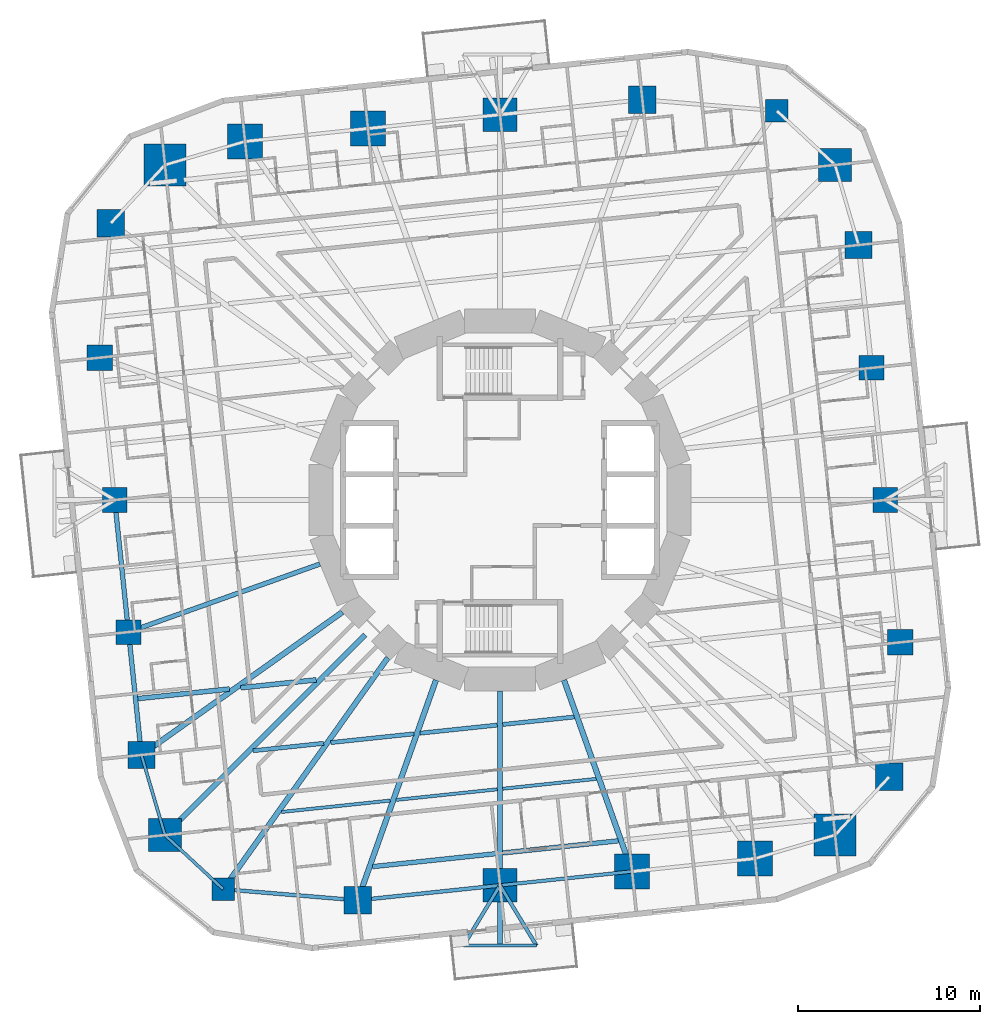
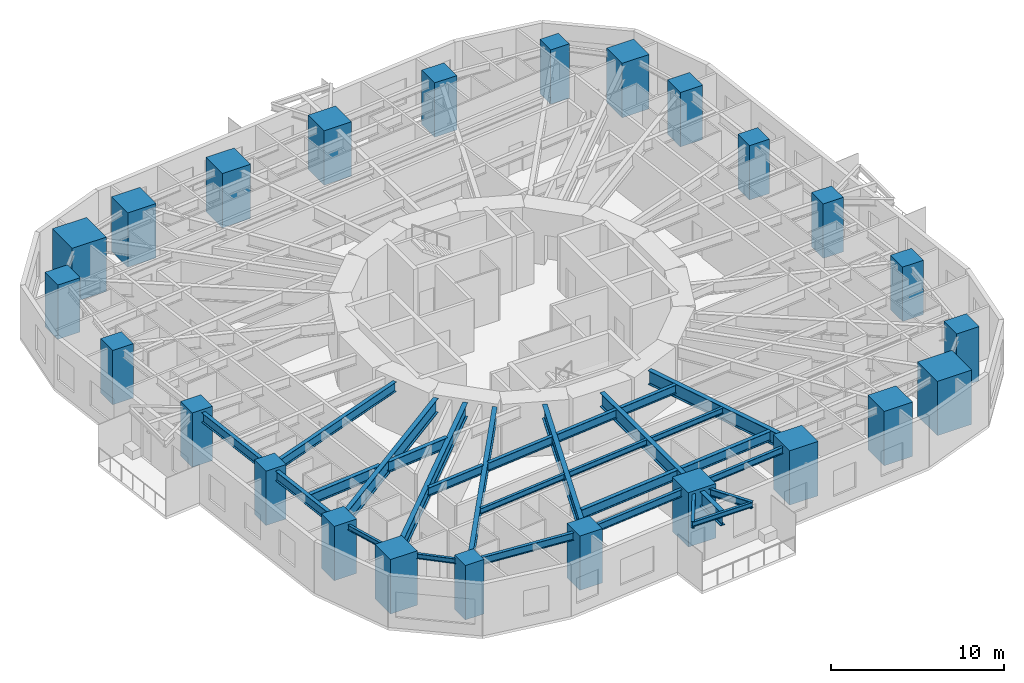
# One storey, part 1 of 15: 28 beams, 24 columns.
"""IFC4 building model written with IfcOpenShell, lengths in metres."""

from ifc_helpers import new_model, si_unit, direction, frame, origin, origin_2d, place, context, subcontext, project, spatial, rectangle, i_section, extrude, material, material_profile, profile_set, type_object, element, save


model = new_model("IFC4")

# Units and contexts
model_context = context("Model", 3, precision=1e-05, world=origin(), true_north=direction((0.0, 1.0)))
body_context = subcontext(model_context, "Body", "Model", "MODEL_VIEW")
ifc_project = project(units=[si_unit("LENGTHUNIT", "METRE"), si_unit("AREAUNIT", "SQUARE_METRE"), si_unit("VOLUMEUNIT", "CUBIC_METRE"), si_unit("PLANEANGLEUNIT", "RADIAN"), si_unit("MASSUNIT", "GRAM", prefix="KILO")], contexts=[model_context])

# Site, building, storey
site_placement = place(None, origin())
site = spatial("IfcSite", under=ifc_project, at=site_placement, CompositionType="ELEMENT")
building_placement = place(site_placement, origin())
building = spatial("IfcBuilding", under=site, at=building_placement, Name="Nakasero Lantern House", CompositionType="ELEMENT")
storey_placement = place(building_placement, frame((0.0, 0.0, 72.050048828125)))
storey = spatial("IfcBuildingStorey", under=building, at=storey_placement, Name="L17", CompositionType="ELEMENT", Elevation=72.050048828125)

# Columns
ifc_material_1 = material(Name="Concrete C50/60", Category="concrete")
ifc_material_profile_1 = material_profile(ifc_material_1, rectangle(XDim=1.800048828125, YDim=1.800048828125, at=origin_2d()), Name="RC 1800x1800")
ifc_profile_set_1 = profile_set([ifc_material_profile_1], Name="Concrete C50/60")
column_type_1 = type_object("IfcColumnType", Name="Mega column RC 1800x1800 C50/60", PredefinedType="COLUMN", material=ifc_profile_set_1)
for number, where, z_axis, x_axis, name in (
    (1, (18.359375, 18.359375, 0.0), (0.0, 0.0, 1.0), (1.0, 0.0, 0.0), "Column B2-C06 L17"),
    (2, (-18.359375, -18.359375, 0.0), (0.0, 0.0, 1.0), (1.0, 0.0, 0.0), "Column B2-C18 L17"),
):
    element("IfcColumn", number, at=place(storey_placement, frame(where, z_axis=z_axis, x_axis=x_axis)), inside=storey, type_object=column_type_1, Name=name, PredefinedType="COLUMN", context=body_context, shape_type="SweptSolid", body=[
        extrude(rectangle(XDim=1.800048828125, YDim=1.800048828125, at=origin_2d()), origin(), (0.0, 0.0, 1.0), 3.849853515625),
    ])
ifc_material_2 = material(Name="Concrete C50/60", Category="concrete")
ifc_material_profile_2 = material_profile(ifc_material_2, rectangle(XDim=2.300048828125, YDim=2.300048828125, at=origin_2d()), Name="RC 2300x2300")
ifc_profile_set_2 = profile_set([ifc_material_profile_2], Name="Concrete C50/60")
column_type_2 = type_object("IfcColumnType", Name="Mega column RC 2300x2300 C50/60", PredefinedType="COLUMN", material=ifc_profile_set_2)
for number, where, z_axis, x_axis, name in (
    (3, (-18.359375, 18.359375, 0.0), (0.0, 0.0, 1.0), (1.0, 0.0, 0.0), "Column B2-C12 L17"),
    (4, (18.359375, -18.359375, 0.0), (0.0, 0.0, 1.0), (1.0, 0.0, 0.0), "Column B2-C24 L17"),
):
    element("IfcColumn", number, at=place(storey_placement, frame(where, z_axis=z_axis, x_axis=x_axis)), inside=storey, type_object=column_type_2, Name=name, PredefinedType="COLUMN", context=body_context, shape_type="SweptSolid", body=[
        extrude(rectangle(XDim=2.300048828125, YDim=2.300048828125, at=origin_2d()), origin(), (0.0, 0.0, 1.0), 3.849853515625),
    ])
ifc_material_3 = material(Name="Concrete C50/60", Category="concrete")
ifc_material_profile_3 = material_profile(ifc_material_3, rectangle(XDim=1.25, YDim=1.25, at=origin_2d()), Name="RC 1250x1250")
ifc_profile_set_3 = profile_set([ifc_material_profile_3], Name="Concrete C50/60")
column_type_3 = type_object("IfcColumnType", Name="Ring column RC 1250x1250 C50/60", PredefinedType="COLUMN", material=ifc_profile_set_3)
for number, where, z_axis, x_axis, name in (
    (5, (15.16650390625, 21.327880859375, 0.0), (0.0, 0.0, 1.0), (1.0, 0.0, 0.0), "Column B2-C07 L17"),
    (6, (-15.16650390625, -21.327880859375, 0.0), (0.0, 0.0, 1.0), (1.0, 0.0, 0.0), "Column B2-C19 L17"),
):
    element("IfcColumn", number, at=place(storey_placement, frame(where, z_axis=z_axis, x_axis=x_axis)), inside=storey, type_object=column_type_3, Name=name, PredefinedType="COLUMN", context=body_context, shape_type="SweptSolid", body=[
        extrude(rectangle(XDim=1.25, YDim=1.25, at=origin_2d()), origin(), (0.0, 0.0, 1.0), 3.849853515625),
    ])
ifc_material_4 = material(Name="Concrete C50/60", Category="concrete")
ifc_material_profile_4 = material_profile(ifc_material_4, rectangle(XDim=1.35009765625, YDim=1.35009765625, at=origin_2d()), Name="RC 1350x1350")
ifc_profile_set_4 = profile_set([ifc_material_profile_4], Name="Concrete C50/60")
column_type_4 = type_object("IfcColumnType", Name="Ring column RC 1350x1350 C50/60", PredefinedType="COLUMN", material=ifc_profile_set_4)
for number, where, z_axis, x_axis, name in (
    (7, (21.11572265625, 0.0, 0.0), (0.0, 0.0, 1.0), (1.0, 0.0, 0.0), "Column B2-C03 L17"),
    (8, (20.35498046875, 7.2373046875, 0.0), (0.0, 0.0, 1.0), (1.0, 0.0, 0.0), "Column B2-C04 L17"),
    (9, (-21.11572265625, 0.0, 0.0), (0.0, 0.0, 1.0), (1.0, 0.0, 0.0), "Column B2-C15 L17"),
    (10, (-20.35498046875, -7.2373046875, 0.0), (0.0, 0.0, 1.0), (1.0, 0.0, 0.0), "Column B2-C16 L17"),
):
    element("IfcColumn", number, at=place(storey_placement, frame(where, z_axis=z_axis, x_axis=x_axis)), inside=storey, type_object=column_type_4, Name=name, PredefinedType="COLUMN", context=body_context, shape_type="SweptSolid", body=[
        extrude(rectangle(XDim=1.35009765625, YDim=1.35009765625, at=origin_2d()), origin(), (0.0, 0.0, 1.0), 3.849853515625),
    ])
ifc_material_5 = material(Name="Concrete C50/60", Category="concrete")
ifc_material_profile_5 = material_profile(ifc_material_5, rectangle(XDim=1.39990234375, YDim=1.39990234375, at=origin_2d()), Name="RC 1400x1400")
ifc_profile_set_5 = profile_set([ifc_material_profile_5], Name="Concrete C50/60")
column_type_5 = type_object("IfcColumnType", Name="Ring column RC 1400x1400 C50/60", PredefinedType="COLUMN", material=ifc_profile_set_5)
for number, where, z_axis, x_axis, name in (
    (11, (21.935302734375, -7.79931640625, 0.0), (0.0, 0.0, 1.0), (1.0, 0.0, 0.0), "Column B2-C02 L17"),
    (12, (-21.935302734375, 7.79931640625, 0.0), (0.0, 0.0, 1.0), (1.0, 0.0, 0.0), "Column B2-C14 L17"),
):
    element("IfcColumn", number, at=place(storey_placement, frame(where, z_axis=z_axis, x_axis=x_axis)), inside=storey, type_object=column_type_5, Name=name, PredefinedType="COLUMN", context=body_context, shape_type="SweptSolid", body=[
        extrude(rectangle(XDim=1.39990234375, YDim=1.39990234375, at=origin_2d()), origin(), (0.0, 0.0, 1.0), 3.849853515625),
    ])
ifc_material_6 = material(Name="Concrete C50/60", Category="concrete")
ifc_material_profile_6 = material_profile(ifc_material_6, rectangle(XDim=1.5, YDim=1.5, at=origin_2d()), Name="RC 1500x1500")
ifc_profile_set_6 = profile_set([ifc_material_profile_6], Name="Concrete C50/60")
column_type_6 = type_object("IfcColumnType", Name="Ring column RC 1500x1500 C50/60", PredefinedType="COLUMN", material=ifc_profile_set_6)
for number, where, z_axis, x_axis, name in (
    (13, (21.327880859375, -15.16650390625, 0.0), (0.0, 0.0, 1.0), (1.0, 0.0, 0.0), "Column B2-C01 L17"),
    (14, (19.647216796875, 13.971435546875, 0.0), (0.0, 0.0, 1.0), (1.0, 0.0, 0.0), "Column B2-C05 L17"),
    (15, (7.79931640625, 21.935302734375, 0.0), (0.0, 0.0, 1.0), (1.0, 0.0, 0.0), "Column B2-C08 L17"),
    (16, (-21.327880859375, 15.16650390625, 0.0), (0.0, 0.0, 1.0), (1.0, 0.0, 0.0), "Column B2-C13 L17"),
    (17, (-19.647216796875, -13.971435546875, 0.0), (0.0, 0.0, 1.0), (1.0, 0.0, 0.0), "Column B2-C17 L17"),
    (18, (-7.79931640625, -21.935302734375, 0.0), (0.0, 0.0, 1.0), (1.0, 0.0, 0.0), "Column B2-C20 L17"),
):
    element("IfcColumn", number, at=place(storey_placement, frame(where, z_axis=z_axis, x_axis=x_axis)), inside=storey, type_object=column_type_6, Name=name, PredefinedType="COLUMN", context=body_context, shape_type="SweptSolid", body=[
        extrude(rectangle(XDim=1.5, YDim=1.5, at=origin_2d()), origin(), (0.0, 0.0, 1.0), 3.849853515625),
    ])
ifc_material_7 = material(Name="Concrete C50/60", Category="concrete")
ifc_material_profile_7 = material_profile(ifc_material_7, rectangle(XDim=1.85009765625, YDim=1.85009765625, at=origin_2d()), Name="RC 1850x1850")
ifc_profile_set_7 = profile_set([ifc_material_profile_7], Name="Concrete C50/60")
column_type_7 = type_object("IfcColumnType", Name="Ring column RC 1850x1850 C50/60", PredefinedType="COLUMN", material=ifc_profile_set_7)
for number, where, z_axis, x_axis, name in (
    (19, (0.0, 21.11572265625, 0.0), (0.0, 0.0, 1.0), (1.0, 0.0, 0.0), "Column B2-C09 L17"),
    (20, (0.0, -21.11572265625, 0.0), (0.0, 0.0, 1.0), (1.0, 0.0, 0.0), "Column B2-C21 L17"),
):
    element("IfcColumn", number, at=place(storey_placement, frame(where, z_axis=z_axis, x_axis=x_axis)), inside=storey, type_object=column_type_7, Name=name, PredefinedType="COLUMN", context=body_context, shape_type="SweptSolid", body=[
        extrude(rectangle(XDim=1.85009765625, YDim=1.85009765625, at=origin_2d()), origin(), (0.0, 0.0, 1.0), 3.849853515625),
    ])
ifc_material_8 = material(Name="Concrete C50/60", Category="concrete")
ifc_material_profile_8 = material_profile(ifc_material_8, rectangle(XDim=1.89990234375, YDim=1.89990234375, at=origin_2d()), Name="RC 1900x1900")
ifc_profile_set_8 = profile_set([ifc_material_profile_8], Name="Concrete C50/60")
column_type_8 = type_object("IfcColumnType", Name="Ring column RC 1900x1900 C50/60", PredefinedType="COLUMN", material=ifc_profile_set_8)
for number, where, z_axis, x_axis, name in (
    (21, (-7.2373046875, 20.35498046875, 0.0), (0.0, 0.0, 1.0), (1.0, 0.0, 0.0), "Column B2-C10 L17"),
    (22, (-13.971435546875, 19.647216796875, 0.0), (0.0, 0.0, 1.0), (1.0, 0.0, 0.0), "Column B2-C11 L17"),
    (23, (7.2373046875, -20.35498046875, 0.0), (0.0, 0.0, 1.0), (1.0, 0.0, 0.0), "Column B2-C22 L17"),
    (24, (13.971435546875, -19.647216796875, 0.0), (0.0, 0.0, 1.0), (1.0, 0.0, 0.0), "Column B2-C23 L17"),
):
    element("IfcColumn", number, at=place(storey_placement, frame(where, z_axis=z_axis, x_axis=x_axis)), inside=storey, type_object=column_type_8, Name=name, PredefinedType="COLUMN", context=body_context, shape_type="SweptSolid", body=[
        extrude(rectangle(XDim=1.89990234375, YDim=1.89990234375, at=origin_2d()), origin(), (0.0, 0.0, 1.0), 3.849853515625),
    ])

# Beams
ifc_material_9 = material(Name="Steel S355", Category="steel")
ifc_material_profile_9 = material_profile(ifc_material_9, i_section(OverallWidth=0.199462890625, OverallDepth=0.491943359375, WebThickness=0.01806640625, FlangeThickness=0.031982421875, FilletRadius=0.01025390625, at=origin_2d()), Name="UB 457x191x161")
ifc_profile_set_9 = profile_set([ifc_material_profile_9], Name="Steel S355")
beam_type_1 = type_object("IfcBeamType", Name="Balcony splay beam UB 457x191x161", PredefinedType="BEAM", material=ifc_profile_set_9)
for number, where, z_axis, x_axis, name in (
    (25, (0.0, -21.11572265625, 3.404052734375), (0.518296107317, -0.855201230787, 0.0), (0.855201230787, 0.518296107317, 0.0), "Balcony splay beam L18 B2-C21A"),
    (26, (0.0, -21.11572265625, 3.404052734375), (-0.518296107317, -0.855201230787, 0.0), (0.855201230787, -0.518296107317, 0.0), "Balcony splay beam L18 B2-C21B"),
):
    element("IfcBeam", number, at=place(storey_placement, frame(where, z_axis=z_axis, x_axis=x_axis)), inside=storey, type_object=beam_type_1, Name=name, PredefinedType="BEAM", context=body_context, shape_type="SweptSolid", body=[
        extrude(i_section(OverallWidth=0.199462890625, OverallDepth=0.491943359375, WebThickness=0.01806640625, FlangeThickness=0.031982421875, FilletRadius=0.01025390625, at=origin_2d()), origin(), (0.0, 0.0, 1.0), 3.85888671875),
    ])
ifc_material_10 = material(Name="Steel S355", Category="steel")
ifc_material_profile_10 = material_profile(ifc_material_10, i_section(OverallWidth=0.17138671875, OverallDepth=0.35498046875, WebThickness=0.00732421875, FlangeThickness=0.011474609375, FilletRadius=0.01025390625, at=origin_2d()), Name="UB 356x171x51")
ifc_profile_set_10 = profile_set([ifc_material_profile_10], Name="Steel S355")
beam_type_2 = type_object("IfcBeamType", Name="Balcony tie beam UB 356x171x51", PredefinedType="BEAM", material=ifc_profile_set_10)
beam_1_placement = place(storey_placement, frame((2.0, -24.415771484375, 3.472412109375), z_axis=(-1.0, 0.0, 0.0), x_axis=(0.0, -1.0, 0.0)))
element("IfcBeam", 27, at=beam_1_placement, inside=storey, type_object=beam_type_2, Name="Balcony tie beam L18 B2-C21", PredefinedType="BEAM", context=body_context, shape_type="SweptSolid", body=[
    extrude(i_section(OverallWidth=0.17138671875, OverallDepth=0.35498046875, WebThickness=0.00732421875, FlangeThickness=0.011474609375, FilletRadius=0.01025390625, at=origin_2d()), origin(), (0.0, 0.0, 1.0), 4.0),
])
ifc_material_11 = material(Name="Steel S355", Category="steel")
ifc_material_profile_11 = material_profile(ifc_material_11, i_section(OverallWidth=0.177978515625, OverallDepth=0.406494140625, WebThickness=0.0078125, FlangeThickness=0.0126953125, FilletRadius=0.01025390625, at=origin_2d()), Name="UB 406x178x60")
ifc_profile_set_11 = profile_set([ifc_material_profile_11], Name="Steel S355")
beam_type_3 = type_object("IfcBeamType", Name="Infill beam UB 406x178x60", PredefinedType="JOIST", material=ifc_profile_set_11)
beam_2_placement = place(storey_placement, frame((-11.9775390625, -17.095703125, 3.44677734375), z_axis=(0.994521729164, 0.104530044579, 0.0), x_axis=(-0.104530044579, 0.994521729164, 0.0)))
element("IfcBeam", 28, at=beam_2_placement, inside=storey, type_object=beam_type_3, Name="Infill beam L18 03.1", PredefinedType="JOIST", context=body_context, shape_type="SweptSolid", body=[
    extrude(i_section(OverallWidth=0.177978515625, OverallDepth=0.406494140625, WebThickness=0.0078125, FlangeThickness=0.0126953125, FilletRadius=0.01025390625, at=origin_2d()), origin(), (0.0, 0.0, 1.0), 5.99560546875),
])
beam_3_placement = place(storey_placement, frame((-5.68408203125, -16.43408203125, 3.44677734375), z_axis=(0.994524188375, 0.104506644464, 0.0), x_axis=(-0.104506644464, 0.994524188375, 0.0)))
element("IfcBeam", 29, at=beam_3_placement, inside=storey, type_object=beam_type_3, Name="Infill beam L18 03.2", PredefinedType="JOIST", context=body_context, shape_type="SweptSolid", body=[
    extrude(i_section(OverallWidth=0.177978515625, OverallDepth=0.406494140625, WebThickness=0.0078125, FlangeThickness=0.0126953125, FilletRadius=0.01025390625, at=origin_2d()), origin(), (0.0, 0.0, 1.0), 5.564697265625),
])
beam_4_placement = place(storey_placement, frame((0.14990234375, -15.821044921875, 3.44677734375), z_axis=(0.994522574566, 0.104522000929, 0.0), x_axis=(-0.104522000929, 0.994522574566, 0.0)))
element("IfcBeam", 30, at=beam_4_placement, inside=storey, type_object=beam_type_3, Name="Infill beam L18 03.3", PredefinedType="JOIST", context=body_context, shape_type="SweptSolid", body=[
    extrude(i_section(OverallWidth=0.177978515625, OverallDepth=0.406494140625, WebThickness=0.0078125, FlangeThickness=0.0126953125, FilletRadius=0.01025390625, at=origin_2d()), origin(), (0.0, 0.0, 1.0), 5.15283203125),
])
ifc_material_12 = material(Name="Steel S355", Category="steel")
ifc_material_profile_12 = material_profile(ifc_material_12, i_section(OverallWidth=0.22900390625, OverallDepth=0.6123046875, WebThickness=0.011962890625, FlangeThickness=0.01953125, FilletRadius=0.0126953125, at=origin_2d()), Name="UB 610x229x125")
ifc_profile_set_12 = profile_set([ifc_material_profile_12], Name="Steel S355")
beam_type_4 = type_object("IfcBeamType", Name="Infill beam UB 610x229x125", PredefinedType="JOIST", material=ifc_profile_set_12)
beam_5_placement = place(storey_placement, frame((-13.527099609375, -13.7392578125, 3.34375), z_axis=(0.99451886442, 0.10455729679, 0.0), x_axis=(-0.10455729679, 0.99451886442, 0.0)))
element("IfcBeam", 31, at=beam_5_placement, inside=storey, type_object=beam_type_4, Name="Infill beam L18 04.1", PredefinedType="JOIST", context=body_context, shape_type="SweptSolid", body=[
    extrude(i_section(OverallWidth=0.22900390625, OverallDepth=0.6123046875, WebThickness=0.011962890625, FlangeThickness=0.01953125, FilletRadius=0.0126953125, at=origin_2d()), origin(), (0.0, 0.0, 1.0), 3.8876953125),
])
beam_6_placement = place(storey_placement, frame((-9.272705078125, -13.2919921875, 3.34375), z_axis=(0.994522952874, 0.104518401282, 0.0), x_axis=(-0.104518401282, 0.994522952874, 0.0)))
element("IfcBeam", 32, at=beam_6_placement, inside=storey, type_object=beam_type_4, Name="Infill beam L18 04.2", PredefinedType="JOIST", context=body_context, shape_type="SweptSolid", body=[
    extrude(i_section(OverallWidth=0.22900390625, OverallDepth=0.6123046875, WebThickness=0.011962890625, FlangeThickness=0.01953125, FilletRadius=0.0126953125, at=origin_2d()), origin(), (0.0, 0.0, 1.0), 4.5830078125),
])
beam_7_placement = place(storey_placement, frame((-4.38427734375, -12.7783203125, 3.34375), z_axis=(0.994521465317, 0.104532554847, 0.0), x_axis=(-0.104532554847, 0.994521465317, 0.0)))
element("IfcBeam", 33, at=beam_7_placement, inside=storey, type_object=beam_type_4, Name="Infill beam L18 04.3", PredefinedType="JOIST", context=body_context, shape_type="SweptSolid", body=[
    extrude(i_section(OverallWidth=0.22900390625, OverallDepth=0.6123046875, WebThickness=0.011962890625, FlangeThickness=0.01953125, FilletRadius=0.0126953125, at=origin_2d()), origin(), (0.0, 0.0, 1.0), 4.2578125),
])
beam_8_placement = place(storey_placement, frame((0.14990234375, -12.3017578125, 3.34375), z_axis=(0.994521399206, 0.104533183829, 0.0), x_axis=(-0.104533183829, 0.994521399206, 0.0)))
element("IfcBeam", 34, at=beam_8_placement, inside=storey, type_object=beam_type_4, Name="Infill beam L18 04.4", PredefinedType="JOIST", context=body_context, shape_type="SweptSolid", body=[
    extrude(i_section(OverallWidth=0.22900390625, OverallDepth=0.6123046875, WebThickness=0.011962890625, FlangeThickness=0.01953125, FilletRadius=0.0126953125, at=origin_2d()), origin(), (0.0, 0.0, 1.0), 3.93994140625),
])
ifc_material_13 = material(Name="Steel S355", Category="steel")
ifc_material_profile_13 = material_profile(ifc_material_13, i_section(OverallWidth=0.255859375, OverallDepth=0.69287109375, WebThickness=0.014404296875, FlangeThickness=0.023681640625, FilletRadius=0.01513671875, at=origin_2d()), Name="UB 686x254x170")
ifc_profile_set_13 = profile_set([ifc_material_profile_13], Name="Steel S355")
beam_type_5 = type_object("IfcBeamType", Name="Infill beam UB 686x254x170", PredefinedType="JOIST", material=ifc_profile_set_13)
beam_9_placement = place(storey_placement, frame((-6.98388671875, -20.090087890625, 3.303466796875), z_axis=(0.994522182542, 0.10452573096, 0.0), x_axis=(-0.10452573096, 0.994522182542, 0.0)))
element("IfcBeam", 35, at=beam_9_placement, inside=storey, type_object=beam_type_5, Name="Infill beam L18 02.1", PredefinedType="JOIST", context=body_context, shape_type="SweptSolid", body=[
    extrude(i_section(OverallWidth=0.255859375, OverallDepth=0.69287109375, WebThickness=0.014404296875, FlangeThickness=0.023681640625, FilletRadius=0.01513671875, at=origin_2d()), origin(), (0.0, 0.0, 1.0), 6.87158203125),
])
beam_10_placement = place(storey_placement, frame((0.14990234375, -19.34033203125, 3.303466796875), z_axis=(0.994519733917, 0.104549026056, 0.0), x_axis=(-0.104549026056, 0.994519733917, 0.0)))
element("IfcBeam", 36, at=beam_10_placement, inside=storey, type_object=beam_type_5, Name="Infill beam L18 02.2", PredefinedType="JOIST", context=body_context, shape_type="SweptSolid", body=[
    extrude(i_section(OverallWidth=0.255859375, OverallDepth=0.69287109375, WebThickness=0.014404296875, FlangeThickness=0.023681640625, FilletRadius=0.01513671875, at=origin_2d()), origin(), (0.0, 0.0, 1.0), 6.36572265625),
])
ifc_material_14 = material(Name="Steel S355", Category="steel")
ifc_material_profile_14 = material_profile(ifc_material_14, i_section(OverallWidth=0.2666015625, OverallDepth=0.76220703125, WebThickness=0.014404296875, FlangeThickness=0.021484375, FilletRadius=0.0166015625, at=origin_2d()), Name="UB 762x267x173")
ifc_profile_set_14 = profile_set([ifc_material_profile_14], Name="Steel S355")
beam_type_6 = type_object("IfcBeamType", Name="Infill beam UB 762x267x173", PredefinedType="JOIST", material=ifc_profile_set_14)
beam_11_placement = place(storey_placement, frame((-19.843017578125, -10.8837890625, 3.268798828125), z_axis=(0.994520551882, 0.104541244898, 0.0), x_axis=(-0.104541244898, 0.994520551882, 0.0)))
element("IfcBeam", 37, at=beam_11_placement, inside=storey, type_object=beam_type_6, Name="Infill beam L18 05.1", PredefinedType="JOIST", context=body_context, shape_type="SweptSolid", body=[
    extrude(i_section(OverallWidth=0.2666015625, OverallDepth=0.76220703125, WebThickness=0.014404296875, FlangeThickness=0.021484375, FilletRadius=0.0166015625, at=origin_2d()), origin(), (0.0, 0.0, 1.0), 5.046630859375),
])
beam_12_placement = place(storey_placement, frame((-14.212646484375, -10.2919921875, 3.268798828125), z_axis=(0.994522134672, 0.104526186418, 0.0), x_axis=(-0.104526186418, 0.994522134672, 0.0)))
element("IfcBeam", 38, at=beam_12_placement, inside=storey, type_object=beam_type_6, Name="Infill beam L18 05.2", PredefinedType="JOIST", context=body_context, shape_type="SweptSolid", body=[
    extrude(i_section(OverallWidth=0.2666015625, OverallDepth=0.76220703125, WebThickness=0.014404296875, FlangeThickness=0.021484375, FilletRadius=0.0166015625, at=origin_2d()), origin(), (0.0, 0.0, 1.0), 4.166748046875),
])
ifc_material_15 = material(Name="Steel S355", Category="steel")
ifc_material_profile_15 = material_profile(ifc_material_15, i_section(OverallWidth=0.300048828125, OverallDepth=0.97998046875, WebThickness=0.0166015625, FlangeThickness=0.02587890625, FilletRadius=0.030029296875, at=origin_2d()), Name="UB 1016x305x249")
ifc_profile_set_15 = profile_set([ifc_material_profile_15], Name="Steel S355")
beam_type_7 = type_object("IfcBeamType", Name="Primary beam UB 1016x305x249, span 12 to 15 m", PredefinedType="BEAM", material=ifc_profile_set_15)
beam_13_placement = place(storey_placement, frame((-7.79931640625, -21.935302734375, 3.159912109375), z_axis=(0.335017564047, 0.942211882636, 0.0), x_axis=(-0.942211882636, 0.335017564047, 0.0)))
element("IfcBeam", 39, at=beam_13_placement, inside=storey, type_object=beam_type_7, Name="Primary beam L18 B2-C20", PredefinedType="BEAM", context=body_context, shape_type="SweptSolid", body=[
    extrude(i_section(OverallWidth=0.300048828125, OverallDepth=0.97998046875, WebThickness=0.0166015625, FlangeThickness=0.02587890625, FilletRadius=0.030029296875, at=origin_2d()), origin(), (0.0, 0.0, 1.0), 12.80908203125),
])
ifc_material_16 = material(Name="Steel S355", Category="steel")
ifc_material_profile_16 = material_profile(ifc_material_16, i_section(OverallWidth=0.300048828125, OverallDepth=0.97998046875, WebThickness=0.0166015625, FlangeThickness=0.02587890625, FilletRadius=0.030029296875, at=origin_2d()), Name="UB 1016x305x249")
ifc_profile_set_16 = profile_set([ifc_material_profile_16], Name="Steel S355")
beam_type_8 = type_object("IfcBeamType", Name="Primary beam UB 1016x305x249, span 9 to 12 m", PredefinedType="BEAM", material=ifc_profile_set_16)
beam_14_placement = place(storey_placement, frame((7.2373046875, -20.35498046875, 3.159912109375), z_axis=(-0.335009234979, 0.942214844119, 0.0), x_axis=(-0.942214844119, -0.335009234979, 0.0)))
element("IfcBeam", 40, at=beam_14_placement, inside=storey, type_object=beam_type_8, Name="Primary beam L18 B2-C22", PredefinedType="BEAM", context=body_context, shape_type="SweptSolid", body=[
    extrude(i_section(OverallWidth=0.300048828125, OverallDepth=0.97998046875, WebThickness=0.0166015625, FlangeThickness=0.02587890625, FilletRadius=0.030029296875, at=origin_2d()), origin(), (0.0, 0.0, 1.0), 11.1318359375),
])
ifc_material_17 = material(Name="Steel S355", Category="steel")
ifc_material_profile_17 = material_profile(ifc_material_17, i_section(OverallWidth=0.300048828125, OverallDepth=0.989990234375, WebThickness=0.0166015625, FlangeThickness=0.031005859375, FilletRadius=0.030029296875, at=origin_2d()), Name="UB 1016x305x272")
ifc_profile_set_17 = profile_set([ifc_material_profile_17], Name="Steel S355")
beam_type_9 = type_object("IfcBeamType", Name="Primary beam UB 1016x305x272, span over 15 m", PredefinedType="BEAM", material=ifc_profile_set_17)
beam_15_placement = place(storey_placement, frame((-18.359375, -18.359375, 3.15478515625), z_axis=(0.707106781187, 0.707106781187, 0.0), x_axis=(-0.707106781187, 0.707106781187, 0.0)))
element("IfcBeam", 41, at=beam_15_placement, inside=storey, type_object=beam_type_9, Name="Primary beam L18 B2-C18", PredefinedType="BEAM", context=body_context, shape_type="SweptSolid", body=[
    extrude(i_section(OverallWidth=0.300048828125, OverallDepth=0.989990234375, WebThickness=0.0166015625, FlangeThickness=0.031005859375, FilletRadius=0.030029296875, at=origin_2d()), origin(), (0.0, 0.0, 1.0), 15.50634765625),
])
ifc_material_18 = material(Name="Steel S355", Category="steel")
ifc_material_profile_18 = material_profile(ifc_material_18, i_section(OverallWidth=0.300048828125, OverallDepth=1.0, WebThickness=0.01904296875, FlangeThickness=0.035888671875, FilletRadius=0.030029296875, at=origin_2d()), Name="UB 1016x305x314")
ifc_profile_set_18 = profile_set([ifc_material_profile_18], Name="Steel S355")
beam_type_10 = type_object("IfcBeamType", Name="Primary beam UB 1016x305x314, span 9 to 12 m", PredefinedType="BEAM", material=ifc_profile_set_18)
beam_16_placement = place(storey_placement, frame((0.0, -24.415771484375, 3.14990234375), z_axis=(0.0, 1.0, 0.0), x_axis=(-1.0, 0.0, 0.0)))
element("IfcBeam", 42, at=beam_16_placement, inside=storey, type_object=beam_type_10, Name="Primary beam L18 B2-C21", PredefinedType="BEAM", context=body_context, shape_type="SweptSolid", body=[
    extrude(i_section(OverallWidth=0.300048828125, OverallDepth=1.0, WebThickness=0.01904296875, FlangeThickness=0.035888671875, FilletRadius=0.030029296875, at=origin_2d()), origin(), (0.0, 0.0, 1.0), 13.9580078125),
])
ifc_material_19 = material(Name="Steel S355", Category="steel")
ifc_material_profile_19 = material_profile(ifc_material_19, i_section(OverallWidth=0.302001953125, OverallDepth=1.008056640625, WebThickness=0.02099609375, FlangeThickness=0.0400390625, FilletRadius=0.030029296875, at=origin_2d()), Name="UB 1016x305x349")
ifc_profile_set_19 = profile_set([ifc_material_profile_19], Name="Steel S355")
beam_type_11 = type_object("IfcBeamType", Name="Primary beam UB 1016x305x349, span 12 to 15 m", PredefinedType="BEAM", material=ifc_profile_set_19)
beam_17_placement = place(storey_placement, frame((-19.647216796875, -13.971435546875, 3.14599609375), z_axis=(0.814948492976, 0.579533393168, 0.0), x_axis=(-0.579533393168, 0.814948492976, 0.0)))
element("IfcBeam", 43, at=beam_17_placement, inside=storey, type_object=beam_type_11, Name="Primary beam L18 B2-C17", PredefinedType="BEAM", context=body_context, shape_type="SweptSolid", body=[
    extrude(i_section(OverallWidth=0.302001953125, OverallDepth=1.008056640625, WebThickness=0.02099609375, FlangeThickness=0.0400390625, FilletRadius=0.030029296875, at=origin_2d()), origin(), (0.0, 0.0, 1.0), 13.502685546875),
])
ifc_material_20 = material(Name="Steel S355", Category="steel")
ifc_material_profile_20 = material_profile(ifc_material_20, i_section(OverallWidth=0.253662109375, OverallDepth=0.68359375, WebThickness=0.012451171875, FlangeThickness=0.01904296875, FilletRadius=0.01513671875, at=origin_2d()), Name="UB 686x254x140")
ifc_profile_set_20 = profile_set([ifc_material_profile_20], Name="Steel S355")
beam_type_12 = type_object("IfcBeamType", Name="Primary beam UB 686x254x140, span 9 to 12 m", PredefinedType="BEAM", material=ifc_profile_set_20)
beam_18_placement = place(storey_placement, frame((-20.35498046875, -7.2373046875, 3.30810546875), z_axis=(0.942214844119, 0.335009234979, 0.0), x_axis=(-0.335009234979, 0.942214844119, 0.0)))
element("IfcBeam", 44, at=beam_18_placement, inside=storey, type_object=beam_type_12, Name="Primary beam L18 B2-C16", PredefinedType="BEAM", context=body_context, shape_type="SweptSolid", body=[
    extrude(i_section(OverallWidth=0.253662109375, OverallDepth=0.68359375, WebThickness=0.012451171875, FlangeThickness=0.01904296875, FilletRadius=0.01513671875, at=origin_2d()), origin(), (0.0, 0.0, 1.0), 11.1318359375),
])
ifc_material_21 = material(Name="Steel S355", Category="steel")
ifc_material_profile_21 = material_profile(ifc_material_21, i_section(OverallWidth=0.29248046875, OverallDepth=0.8408203125, WebThickness=0.0146484375, FlangeThickness=0.02685546875, FilletRadius=0.017822265625, at=origin_2d()), Name="UB 838x292x194")
ifc_profile_set_21 = profile_set([ifc_material_profile_21], Name="Steel S355")
beam_type_13 = type_object("IfcBeamType", Name="Primary beam UB 838x292x194, span over 15 m", PredefinedType="BEAM", material=ifc_profile_set_21)
beam_19_placement = place(storey_placement, frame((-15.16650390625, -21.327880859375, 3.2294921875), z_axis=(0.57952911085, 0.814951538239, 0.0), x_axis=(-0.814951538239, 0.57952911085, 0.0)))
element("IfcBeam", 45, at=beam_19_placement, inside=storey, type_object=beam_type_13, Name="Primary beam L18 B2-C19", PredefinedType="BEAM", context=body_context, shape_type="SweptSolid", body=[
    extrude(i_section(OverallWidth=0.29248046875, OverallDepth=0.8408203125, WebThickness=0.0146484375, FlangeThickness=0.02685546875, FilletRadius=0.017822265625, at=origin_2d()), origin(), (0.0, 0.0, 1.0), 15.564697265625),
])
ifc_material_22 = material(Name="Steel S355", Category="steel")
ifc_material_profile_22 = material_profile(ifc_material_22, i_section(OverallWidth=0.17138671875, OverallDepth=0.35498046875, WebThickness=0.00732421875, FlangeThickness=0.011474609375, FilletRadius=0.01025390625, at=origin_2d()), Name="UB 356x171x51")
ifc_profile_set_22 = profile_set([ifc_material_profile_22], Name="Steel S355")
beam_type_14 = type_object("IfcBeamType", Name="Ring beam UB 356x171x51", PredefinedType="BEAM", material=ifc_profile_set_22)
beam_20_placement = place(storey_placement, frame((-19.647216796875, -13.971435546875, 3.472412109375), z_axis=(0.28161710443, -0.959526865957, 0.0), x_axis=(0.959526865957, 0.28161710443, 0.0)))
element("IfcBeam", 46, at=beam_20_placement, inside=storey, type_object=beam_type_14, Name="Ring beam L18 B2-C17", PredefinedType="BEAM", context=body_context, shape_type="SweptSolid", body=[
    extrude(i_section(OverallWidth=0.17138671875, OverallDepth=0.35498046875, WebThickness=0.00732421875, FlangeThickness=0.011474609375, FilletRadius=0.01025390625, at=origin_2d()), origin(), (0.0, 0.0, 1.0), 4.572998046875),
])
beam_21_placement = place(storey_placement, frame((-18.359375, -18.359375, 3.472412109375), z_axis=(0.732370510336, -0.680906333933, 0.0), x_axis=(0.680906333933, 0.732370510336, 0.0)))
element("IfcBeam", 47, at=beam_21_placement, inside=storey, type_object=beam_type_14, Name="Ring beam L18 B2-C18", PredefinedType="BEAM", context=body_context, shape_type="SweptSolid", body=[
    extrude(i_section(OverallWidth=0.17138671875, OverallDepth=0.35498046875, WebThickness=0.00732421875, FlangeThickness=0.011474609375, FilletRadius=0.01025390625, at=origin_2d()), origin(), (0.0, 0.0, 1.0), 4.359619140625),
])
ifc_material_23 = material(Name="Steel S355", Category="steel")
ifc_material_profile_23 = material_profile(ifc_material_23, i_section(OverallWidth=0.19140625, OverallDepth=0.4599609375, WebThickness=0.010009765625, FlangeThickness=0.01611328125, FilletRadius=0.01025390625, at=origin_2d()), Name="UB 457x191x82")
ifc_profile_set_23 = profile_set([ifc_material_profile_23], Name="Steel S355")
beam_type_15 = type_object("IfcBeamType", Name="Ring beam UB 457x191x82", PredefinedType="BEAM", material=ifc_profile_set_23)
beam_22_placement = place(storey_placement, frame((0.0, -21.11572265625, 3.419921875), z_axis=(0.994520883746, 0.104538087767, 0.0), x_axis=(-0.104538087767, 0.994520883746, 0.0)))
element("IfcBeam", 48, at=beam_22_placement, inside=storey, type_object=beam_type_15, Name="Ring beam L18 B2-C21", PredefinedType="BEAM", context=body_context, shape_type="SweptSolid", body=[
    extrude(i_section(OverallWidth=0.19140625, OverallDepth=0.4599609375, WebThickness=0.010009765625, FlangeThickness=0.01611328125, FilletRadius=0.01025390625, at=origin_2d()), origin(), (0.0, 0.0, 1.0), 7.277099609375),
])
ifc_material_24 = material(Name="Steel S355", Category="steel")
ifc_material_profile_24 = material_profile(ifc_material_24, i_section(OverallWidth=0.208740234375, OverallDepth=0.5283203125, WebThickness=0.009521484375, FlangeThickness=0.01318359375, FilletRadius=0.0126953125, at=origin_2d()), Name="UB 533x210x82")
ifc_profile_set_24 = profile_set([ifc_material_profile_24], Name="Steel S355")
beam_type_16 = type_object("IfcBeamType", Name="Ring beam UB 533x210x82", PredefinedType="BEAM", material=ifc_profile_set_24)
beam_23_placement = place(storey_placement, frame((-15.16650390625, -21.327880859375, 3.3857421875), z_axis=(0.996618261264, -0.08217080574, 0.0), x_axis=(0.08217080574, 0.996618261264, 0.0)))
element("IfcBeam", 49, at=beam_23_placement, inside=storey, type_object=beam_type_16, Name="Ring beam L18 B2-C19", PredefinedType="BEAM", context=body_context, shape_type="SweptSolid", body=[
    extrude(i_section(OverallWidth=0.208740234375, OverallDepth=0.5283203125, WebThickness=0.009521484375, FlangeThickness=0.01318359375, FilletRadius=0.0126953125, at=origin_2d()), origin(), (0.0, 0.0, 1.0), 7.39208984375),
])
beam_24_placement = place(storey_placement, frame((-7.79931640625, -21.935302734375, 3.3857421875), z_axis=(0.994524030789, 0.104508144098, 0.0), x_axis=(-0.104508144098, 0.994524030789, 0.0)))
element("IfcBeam", 50, at=beam_24_placement, inside=storey, type_object=beam_type_16, Name="Ring beam L18 B2-C20", PredefinedType="BEAM", context=body_context, shape_type="SweptSolid", body=[
    extrude(i_section(OverallWidth=0.208740234375, OverallDepth=0.5283203125, WebThickness=0.009521484375, FlangeThickness=0.01318359375, FilletRadius=0.0126953125, at=origin_2d()), origin(), (0.0, 0.0, 1.0), 7.84228515625),
])
ifc_material_25 = material(Name="Steel S355", Category="steel")
ifc_material_profile_25 = material_profile(ifc_material_25, i_section(OverallWidth=0.253662109375, OverallDepth=0.68359375, WebThickness=0.012451171875, FlangeThickness=0.01904296875, FilletRadius=0.01513671875, at=origin_2d()), Name="UB 686x254x140")
ifc_profile_set_25 = profile_set([ifc_material_profile_25], Name="Steel S355")
beam_type_17 = type_object("IfcBeamType", Name="Ring beam UB 686x254x140", PredefinedType="BEAM", material=ifc_profile_set_25)
beam_25_placement = place(storey_placement, frame((-21.11572265625, 0.0, 3.30810546875), z_axis=(0.104538087767, -0.994520883746, 0.0), x_axis=(0.994520883746, 0.104538087767, 0.0)))
element("IfcBeam", 51, at=beam_25_placement, inside=storey, type_object=beam_type_17, Name="Ring beam L18 B2-C15", PredefinedType="BEAM", context=body_context, shape_type="SweptSolid", body=[
    extrude(i_section(OverallWidth=0.253662109375, OverallDepth=0.68359375, WebThickness=0.012451171875, FlangeThickness=0.01904296875, FilletRadius=0.01513671875, at=origin_2d()), origin(), (0.0, 0.0, 1.0), 7.277099609375),
])
ifc_material_26 = material(Name="Steel S355", Category="steel")
ifc_material_profile_26 = material_profile(ifc_material_26, i_section(OverallWidth=0.255859375, OverallDepth=0.69287109375, WebThickness=0.014404296875, FlangeThickness=0.023681640625, FilletRadius=0.01513671875, at=origin_2d()), Name="UB 686x254x170")
ifc_profile_set_26 = profile_set([ifc_material_profile_26], Name="Steel S355")
beam_type_18 = type_object("IfcBeamType", Name="Ring beam UB 686x254x170", PredefinedType="BEAM", material=ifc_profile_set_26)
beam_26_placement = place(storey_placement, frame((-20.35498046875, -7.2373046875, 3.303466796875), z_axis=(0.10452524939, -0.994522233155, 0.0), x_axis=(0.994522233155, 0.10452524939, 0.0)))
element("IfcBeam", 52, at=beam_26_placement, inside=storey, type_object=beam_type_18, Name="Ring beam L18 B2-C16", PredefinedType="BEAM", context=body_context, shape_type="SweptSolid", body=[
    extrude(i_section(OverallWidth=0.255859375, OverallDepth=0.69287109375, WebThickness=0.014404296875, FlangeThickness=0.023681640625, FilletRadius=0.01513671875, at=origin_2d()), origin(), (0.0, 0.0, 1.0), 6.771240234375),
])

save(model, "model.ifc")
